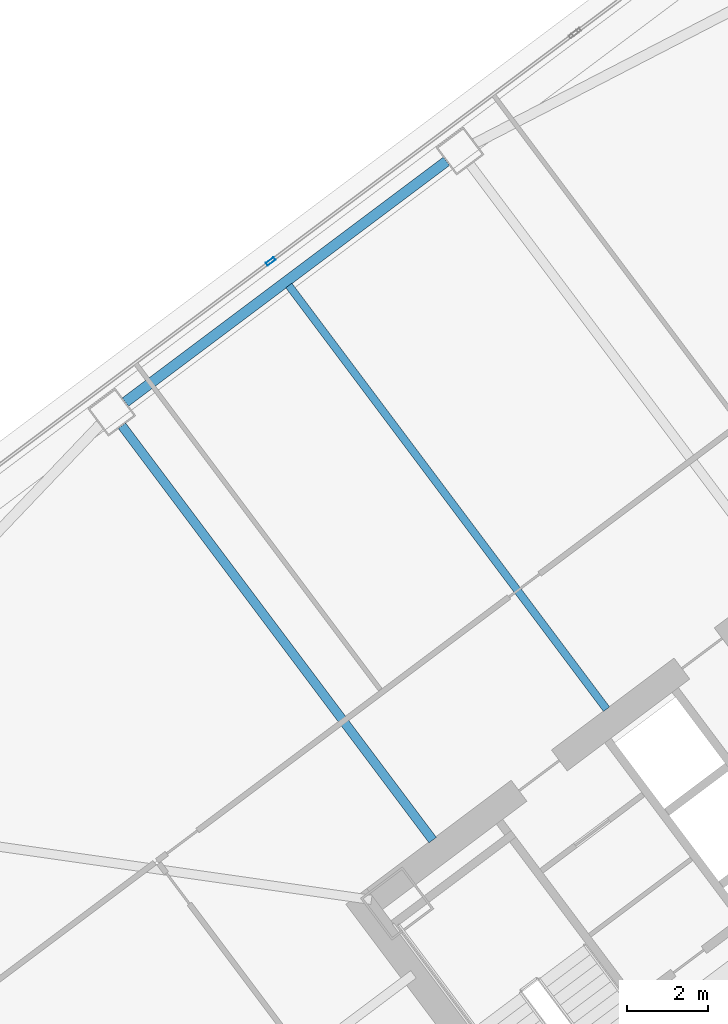
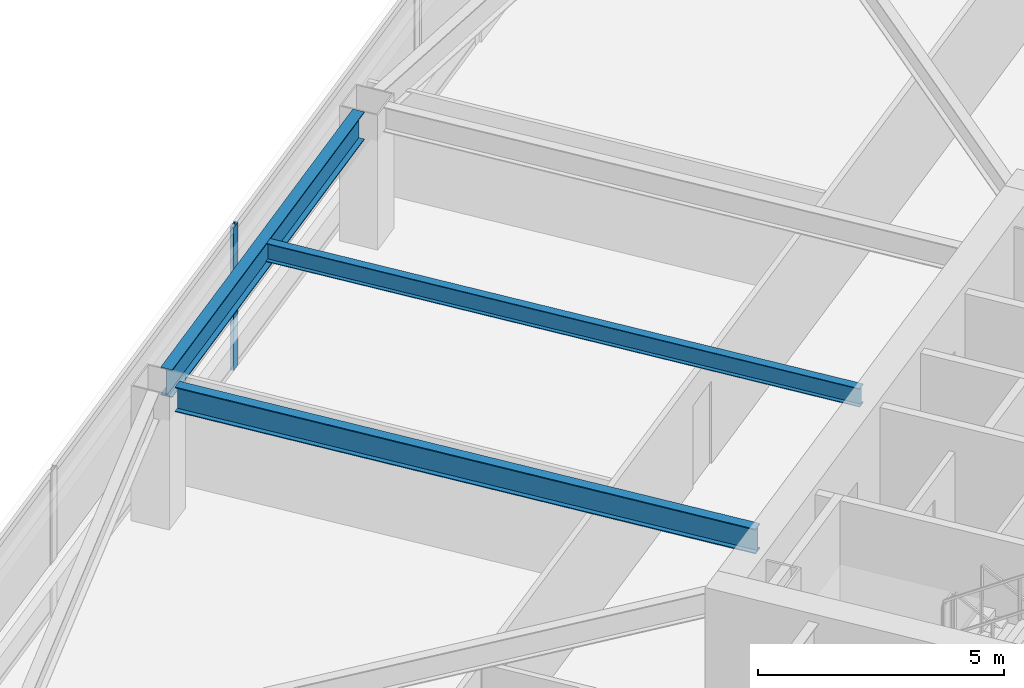
# One storey, part 29 of 48: 3 beams, 1 member, 1 element without a shape of its own.
"""IFC4 building model written with IfcOpenShell, lengths in metres."""

from ifc_helpers import new_model, si_unit, direction, frame, origin, origin_2d, place, context, subcontext, project, spatial, hollow_rectangle, i_section, extrude, material, material_profile, profile_set, type_object, element, aggregate, save


model = new_model("IFC4")

# Units and contexts
model_context = context("Model", 3, precision=1e-05, world=origin(), true_north=direction((0.0, 1.0)))
body_context = subcontext(model_context, "Body", "Model", "MODEL_VIEW")
ifc_project = project(units=[si_unit("LENGTHUNIT", "METRE"), si_unit("AREAUNIT", "SQUARE_METRE"), si_unit("VOLUMEUNIT", "CUBIC_METRE"), si_unit("PLANEANGLEUNIT", "RADIAN"), si_unit("MASSUNIT", "GRAM", prefix="KILO")], contexts=[model_context])

# Site, building, storey
site_placement = place(None, origin())
site = spatial("IfcSite", under=ifc_project, at=site_placement, CompositionType="ELEMENT")
building_placement = place(site_placement, origin())
building = spatial("IfcBuilding", under=site, at=building_placement, Name="Tashvorn Skyway Center", CompositionType="ELEMENT")
storey_placement = place(building_placement, frame((0.0, 0.0, 56.550048828125)))
storey = spatial("IfcBuildingStorey", under=building, at=storey_placement, Name="L14", CompositionType="ELEMENT", Elevation=56.550048828125)

# Beams
ifc_material_1 = material(Name="Steel ASTM A992 Grade 50", Category="steel")
ifc_material_profile_1 = material_profile(ifc_material_1, i_section(OverallWidth=0.22998046875, OverallDepth=0.616943359375, WebThickness=0.01318359375, FlangeThickness=0.022216796875, at=origin_2d()), Name="W24X94")
ifc_profile_set_1 = profile_set([ifc_material_profile_1], Name="Steel ASTM A992 Grade 50")
beam_type_1 = type_object("IfcBeamType", Name="BM-BEAM-W24X94", PredefinedType="BEAM", material=ifc_profile_set_1)
beam_1_placement = place(storey_placement, frame((97.302001953125, 45.263916015625, 3.04150390625), z_axis=(0.599996960112, -0.800002279907, 0.0), x_axis=(0.800002279907, 0.599996960112, 0.0)))
element("IfcBeam", 1, at=beam_1_placement, inside=storey, type_object=beam_type_1, Name="Tower 2 L14 Primary Floor Girder FC-N2", PredefinedType="BEAM", context=body_context, shape_type="SweptSolid", body=[
    extrude(i_section(OverallWidth=0.22998046875, OverallDepth=0.616943359375, WebThickness=0.01318359375, FlangeThickness=0.022216796875, at=origin_2d()), origin(), (0.0, 0.0, 1.0), 12.85009765625),
])
ifc_material_profile_2 = material_profile(ifc_material_1, i_section(OverallWidth=0.19091796875, OverallDepth=0.4599609375, WebThickness=0.010009765625, FlangeThickness=0.01611328125, at=origin_2d()), Name="W18X55")
ifc_profile_set_2 = profile_set([ifc_material_profile_2], Name="Steel ASTM A992 Grade 50")
beam_type_2 = type_object("IfcBeamType", Name="BM-JOIST-W18X55", PredefinedType="JOIST", material=ifc_profile_set_2)
beam_2_placement = place(storey_placement, frame((109.325927734375, 38.23193359375, 3.119873046875), z_axis=(-0.600002972791, 0.799997770398, 0.0), x_axis=(-0.799997770398, -0.600002972791, 0.0)))
element("IfcBeam", 2, at=beam_2_placement, inside=storey, type_object=beam_type_2, Name="Tower 2 L14 Secondary Composite Joist JN", PredefinedType="JOIST", context=body_context, shape_type="SweptSolid", body=[
    extrude(i_section(OverallWidth=0.19091796875, OverallDepth=0.4599609375, WebThickness=0.010009765625, FlangeThickness=0.01611328125, at=origin_2d()), origin(), (0.0, 0.0, 1.0), 13.139892578125),
])
ifc_material_profile_3 = material_profile(ifc_material_1, i_section(OverallWidth=0.256103515625, OverallDepth=0.693115234375, WebThickness=0.014404296875, FlangeThickness=0.023681640625, at=origin_2d()), Name="W27X114")
ifc_profile_set_3 = profile_set([ifc_material_profile_3], Name="Steel ASTM A992 Grade 50")
beam_type_3 = type_object("IfcBeamType", Name="BM-SPANDREL-W27X114", PredefinedType="SPANDREL", material=ifc_profile_set_3)
beam_3_placement = place(storey_placement, frame((105.35400390625, 51.827880859375, 3.00341796875), z_axis=(-0.800008824351, -0.599988234018, 0.0), x_axis=(0.599988234018, -0.800008824351, 0.0)))
element("IfcBeam", 3, at=beam_3_placement, inside=storey, type_object=beam_type_3, Name="Tower 2 L14 Spandrel Beam 08", PredefinedType="SPANDREL", context=body_context, shape_type="SweptSolid", body=[
    extrude(i_section(OverallWidth=0.256103515625, OverallDepth=0.693115234375, WebThickness=0.014404296875, FlangeThickness=0.023681640625, at=origin_2d()), origin(), (0.0, 0.0, 1.0), 9.9599609375),
])

# Curtain wall, member
ifc_material_2 = material(Name="Thermally broken bronze-anodized aluminium 6063-T6", Category="aluminium")
curtain_wall_type = type_object("IfcCurtainWallType", Name="CW-CW-Z1", PredefinedType="NOTDEFINED", material=ifc_material_2)
curtain_wall_placement = place(storey_placement, origin())
curtain_wall = element("IfcCurtainWall", 4, at=curtain_wall_placement, inside=storey, type_object=curtain_wall_type, Name="Tower 2 L14 North Unitised Curtain Wall Glazing Group 2", PredefinedType="NOTDEFINED")
ifc_material_profile_4 = material_profile(ifc_material_2, hollow_rectangle(XDim=0.0849609375, YDim=0.239990234375, WallThickness=0.0048828125, at=origin_2d()), Name="ALU-MULL-85x240")
ifc_profile_set_4 = profile_set([ifc_material_profile_4], Name="Thermally broken bronze-anodized aluminium 6063-T6")
member_type = type_object("IfcMemberType", Name="CWM-CW-Z1", PredefinedType="MULLION", material=ifc_profile_set_4)
member_placement = place(storey_placement, frame((100.991943359375, 49.343994140625, 0.0), z_axis=(0.0, 0.0, 1.0), x_axis=(-0.600000000002, 0.799999999998, 0.0)))
member = element("IfcMember", 5, at=member_placement, type_object=member_type, Name="CW-Z1 mullion 2", PredefinedType="MULLION", context=body_context, shape_type="SweptSolid", body=[
    extrude(hollow_rectangle(XDim=0.0849609375, YDim=0.239990234375, WallThickness=0.0048828125, at=origin_2d()), origin(), (0.0, 0.0, 1.0), 3.550048828125),
])
aggregate(curtain_wall, [member])

save(model, "model.ifc")
